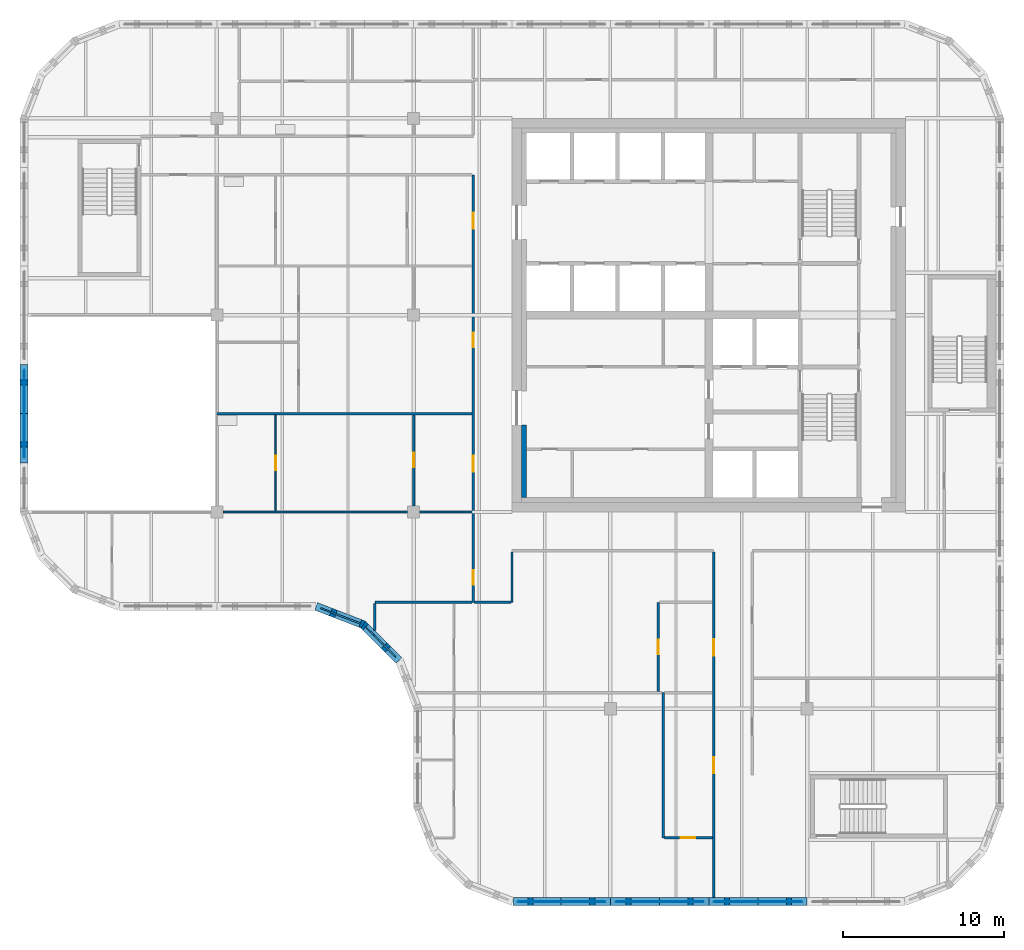
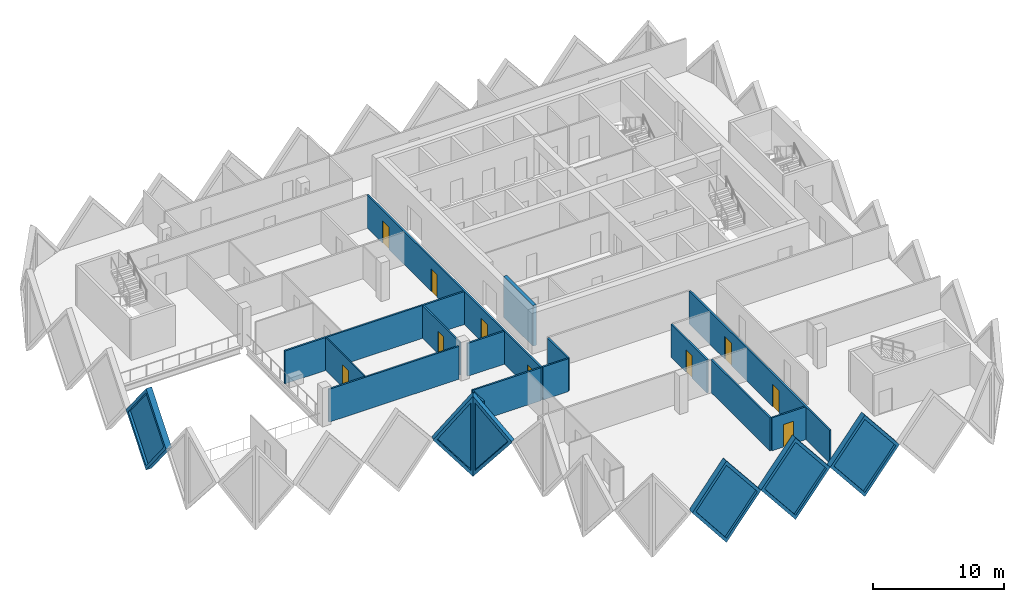
# One storey, part 4 of 12: 21 walls, 10 doors, 6 plates, 16 openings.
"""IFC4 building model written with IfcOpenShell, lengths in metres."""

from ifc_helpers import new_model, si_unit, direction, frame, frame_2d, origin, place, context, subcontext, project, spatial, polyline, rectangle, outline, extrude, faceted_brep, source, transform, mapped, material, layer, layer_set, type_object, element, fill, save


model = new_model("IFC4")

# Units and contexts
model_context = context("Model", 3, precision=1e-05, world=origin(), true_north=direction((0.0, 1.0)))
body_context = subcontext(model_context, "Body", "Model", "MODEL_VIEW")
ifc_project = project(units=[si_unit("LENGTHUNIT", "METRE"), si_unit("AREAUNIT", "SQUARE_METRE"), si_unit("VOLUMEUNIT", "CUBIC_METRE"), si_unit("PLANEANGLEUNIT", "RADIAN"), si_unit("MASSUNIT", "GRAM", prefix="KILO")], contexts=[model_context])

# Site, building, storey
site_placement = place(None, origin())
site = spatial("IfcSite", under=ifc_project, at=site_placement, CompositionType="ELEMENT")
building_placement = place(site_placement, origin())
building = spatial("IfcBuilding", under=site, at=building_placement, Name="Tessera Gate Towers", CompositionType="ELEMENT")
storey_placement = place(building_placement, frame((0.0, 0.0, 159.199951171875)))
storey = spatial("IfcBuildingStorey", under=building, at=storey_placement, Name="L39", CompositionType="ELEMENT", Elevation=159.199951171875)

# Wall
ifc_material_1 = material(Name="Concrete C50/60", Category="concrete")
ifc_layer_1 = layer(ifc_material_1, 0.300048828125)
ifc_layer_set_1 = layer_set([ifc_layer_1], Name="CORE WALL THICKENING 300")
wall_type_1 = type_object("IfcWallType", Name="CORE WALL THICKENING 300", PredefinedType="SOLIDWALL", material=ifc_layer_set_1)
wall_1_placement = place(storey_placement, frame((31.25, 25.300048828125, 0.0), z_axis=(0.0, 0.0, 1.0), x_axis=(0.0, 1.0, 0.0)))
element("IfcWall", 1, at=wall_1_placement, inside=storey, type_object=wall_type_1, Name="Core wall thickening W L39", PredefinedType="SOLIDWALL", context=body_context, shape_type="SweptSolid", body=[
    extrude(rectangle(XDim=4.5, YDim=0.300048828125, at=frame_2d((2.25, 0.0))), origin(), (0.0, 0.0, 1.0), 3.800048828125),
])

# Wall, openings, doors
ifc_material_2 = material(Name="Gypsum board on steel studs, mineral wool", Category="steel")
ifc_layer_2 = layer(ifc_material_2, 0.14990234375)
ifc_layer_set_2 = layer_set([ifc_layer_2], Name="CORRIDOR WALL 150")
wall_type_2 = type_object("IfcWallType", Name="CORRIDOR WALL 150", PredefinedType="PARTITIONING", material=ifc_layer_set_2)
wall_2_placement = place(storey_placement, frame((43.0, 0.5, 0.0), z_axis=(0.0, 0.0, 1.0), x_axis=(0.0, 1.0, 0.0)))
wall_2 = element("IfcWall", 2, at=wall_2_placement, inside=storey, type_object=wall_type_2, Name="T1-L39-PW-001", PredefinedType="PARTITIONING", context=body_context, shape_type="SweptSolid", body=[
    extrude(rectangle(XDim=21.424072265625, YDim=0.14990234375, at=frame_2d((10.7119140625, 0.0))), origin(), (0.0, 0.0, 1.0), 3.067138671875),
])
shared_shape_1 = source(origin(), body_context, "Body", "SweptSolid", [
    extrude(rectangle(XDim=1.0, YDim=2.10009765625, at=frame_2d((0.5, 1.050048828125))), frame((0.0, 0.0849609375, 0.0), z_axis=(0.0, -1.0, 0.0), x_axis=(1.0, 0.0, 0.0)), (0.0, 0.0, 1.0), 0.169921875),
])
opening_1_placement = place(wall_2_placement, frame((15.0009765625, 0.0, 0.0)))
opening_1 = element("IfcOpeningElement", 3, at=opening_1_placement, cuts=wall_2, Name="Opening D2100FD60-A14-02", PredefinedType="OPENING", context=body_context, shape_type="MappedRepresentation", body=[
    mapped(shared_shape_1, transform((0.0, 0.0, 0.0), scale=1.0)),
])
opening_2_placement = place(wall_2_placement, frame((7.699951171875, 0.0, 0.0)))
opening_2 = element("IfcOpeningElement", 4, at=opening_2_placement, cuts=wall_2, Name="Opening D2100FD60-A14-08", PredefinedType="OPENING", context=body_context, shape_type="MappedRepresentation", body=[
    mapped(shared_shape_1, transform((0.0, 0.0, 0.0), scale=1.0)),
])
ifc_material_3 = material(Name="Timber door leaf in steel frame", Category="steel")
door_type_1 = type_object("IfcDoorType", Name="TENANCY ENTRANCE DOOR 1000 FD60", OperationType="NOTDEFINED", PredefinedType="DOOR", material=ifc_material_3)
shared_shape_2 = source(origin(), body_context, "Body", "SweptSolid", [
    extrude(rectangle(XDim=1.0, YDim=2.10009765625, at=frame_2d((0.5, 1.050048828125))), frame((0.0, 0.02490234375, 0.0), z_axis=(0.0, -1.0, 0.0), x_axis=(1.0, 0.0, 0.0)), (0.0, 0.0, 1.0), 0.050048828125),
])
door_1_placement = place(opening_1_placement, origin())
door_1 = element("IfcDoor", 5, at=door_1_placement, inside=storey, type_object=door_type_1, Name="T1-L39-PD-010", OperationType="SINGLE_SWING_LEFT", OverallHeight=2.10009765625, OverallWidth=1.0, PredefinedType="DOOR", context=body_context, shape_type="MappedRepresentation", body=[
    mapped(shared_shape_2, transform((0.0, 0.0, 0.0), scale=1.0)),
])
fill(opening_1, door_1)
door_2_placement = place(opening_2_placement, origin())
door_2 = element("IfcDoor", 6, at=door_2_placement, inside=storey, type_object=door_type_1, Name="T1-L39-PD-023", OperationType="SINGLE_SWING_LEFT", OverallHeight=2.10009765625, OverallWidth=1.0, PredefinedType="DOOR", context=body_context, shape_type="MappedRepresentation", body=[
    mapped(shared_shape_2, transform((0.0, 0.0, 0.0), scale=1.0)),
])
fill(opening_2, door_2)

wall_3_placement = place(storey_placement, frame((28.10009765625, 18.800048828125, 0.0), z_axis=(0.0, 0.0, 1.0), x_axis=(0.0, 1.0, 0.0)))
wall_3 = element("IfcWall", 7, at=wall_3_placement, inside=storey, type_object=wall_type_2, Name="T1-L39-PW-017", PredefinedType="PARTITIONING", context=body_context, shape_type="SweptSolid", body=[
    extrude(rectangle(XDim=26.5, YDim=0.14990234375, at=frame_2d((13.25, 0.0))), origin(), (0.0, 0.0, 1.0), 3.067138671875),
])
shared_shape_3 = source(origin(), body_context, "Body", "SweptSolid", [
    extrude(rectangle(XDim=0.89990234375, YDim=2.10009765625, at=frame_2d((0.449951171875, 1.050048828125))), frame((0.0, 0.0849609375, 0.0), z_axis=(0.0, -1.0, 0.0), x_axis=(1.0, 0.0, 0.0)), (0.0, 0.0, 1.0), 0.169921875),
])
opening_3_placement = place(wall_3_placement, frame((1.10009765625, 0.0, 0.0)))
opening_3 = element("IfcOpeningElement", 8, at=opening_3_placement, cuts=wall_3, Name="Opening D890FD60-A14-01", PredefinedType="OPENING", context=body_context, shape_type="MappedRepresentation", body=[
    mapped(shared_shape_3, transform((0.0, 0.0, 0.0), scale=1.0)),
])
opening_4_placement = place(wall_3_placement, frame((23.15087890625, 0.0, 0.0)))
opening_4 = element("IfcOpeningElement", 9, at=opening_4_placement, cuts=wall_3, Name="Opening D2100FD60-A14-03", PredefinedType="OPENING", context=body_context, shape_type="MappedRepresentation", body=[
    mapped(shared_shape_1, transform((0.0, 0.0, 0.0), scale=1.0)),
])
opening_5_placement = place(wall_3_placement, frame((8.10009765625, 0.0, 0.0)))
opening_5 = element("IfcOpeningElement", 10, at=opening_5_placement, cuts=wall_3, Name="Opening D2100FD60-A14-06", PredefinedType="OPENING", context=body_context, shape_type="MappedRepresentation", body=[
    mapped(shared_shape_1, transform((0.0, 0.0, 0.0), scale=1.0)),
])
opening_6_placement = place(wall_3_placement, frame((15.800048828125, 0.0, 0.0)))
opening_6 = element("IfcOpeningElement", 11, at=opening_6_placement, cuts=wall_3, Name="Opening D890FD60-A14-03", PredefinedType="OPENING", context=body_context, shape_type="MappedRepresentation", body=[
    mapped(shared_shape_3, transform((0.0, 0.0, 0.0), scale=1.0)),
])
ifc_material_4 = material(Name="Timber door leaf in steel frame", Category="steel")
door_type_2 = type_object("IfcDoorType", Name="CORRIDOR DOOR 900 FD60", OperationType="NOTDEFINED", PredefinedType="DOOR", material=ifc_material_4)
shared_shape_4 = source(origin(), body_context, "Body", "SweptSolid", [
    extrude(rectangle(XDim=0.89990234375, YDim=2.10009765625, at=frame_2d((0.449951171875, 1.050048828125))), frame((0.0, 0.02490234375, 0.0), z_axis=(0.0, -1.0, 0.0), x_axis=(1.0, 0.0, 0.0)), (0.0, 0.0, 1.0), 0.050048828125),
])
door_3_placement = place(opening_3_placement, origin())
door_3 = element("IfcDoor", 12, at=door_3_placement, inside=storey, type_object=door_type_2, Name="T1-L39-PD-001", OperationType="SINGLE_SWING_LEFT", OverallHeight=2.10009765625, OverallWidth=0.89990234375, PredefinedType="DOOR", context=body_context, shape_type="MappedRepresentation", body=[
    mapped(shared_shape_4, transform((0.0, 0.0, 0.0), scale=1.0)),
])
fill(opening_3, door_3)
door_4_placement = place(opening_6_placement, origin())
door_4 = element("IfcDoor", 13, at=door_4_placement, inside=storey, type_object=door_type_2, Name="T1-L39-PD-024", OperationType="SINGLE_SWING_LEFT", OverallHeight=2.10009765625, OverallWidth=0.89990234375, PredefinedType="DOOR", context=body_context, shape_type="MappedRepresentation", body=[
    mapped(shared_shape_4, transform((0.0, 0.0, 0.0), scale=1.0)),
])
fill(opening_6, door_4)
door_5_placement = place(opening_4_placement, origin())
door_5 = element("IfcDoor", 14, at=door_5_placement, inside=storey, type_object=door_type_1, Name="T1-L39-PD-012", OperationType="SINGLE_SWING_LEFT", OverallHeight=2.10009765625, OverallWidth=1.0, PredefinedType="DOOR", context=body_context, shape_type="MappedRepresentation", body=[
    mapped(shared_shape_2, transform((0.0, 0.0, 0.0), scale=1.0)),
])
fill(opening_4, door_5)
door_6_placement = place(opening_5_placement, origin())
door_6 = element("IfcDoor", 15, at=door_6_placement, inside=storey, type_object=door_type_1, Name="T1-L39-PD-017", OperationType="SINGLE_SWING_LEFT", OverallHeight=2.10009765625, OverallWidth=1.0, PredefinedType="DOOR", context=body_context, shape_type="MappedRepresentation", body=[
    mapped(shared_shape_2, transform((0.0, 0.0, 0.0), scale=1.0)),
])
fill(opening_5, door_6)

# Walls
wall_4_placement = place(storey_placement, frame((28.176025390625, 18.800048828125, 0.0), z_axis=(0.0, 0.0, 1.0), x_axis=(1.0, 0.0, 0.0)))
element("IfcWall", 16, at=wall_4_placement, inside=storey, type_object=wall_type_2, Name="T1-L39-PW-018", PredefinedType="PARTITIONING", context=body_context, shape_type="SweptSolid", body=[
    extrude(rectangle(XDim=2.248046875, YDim=0.14990234375, at=frame_2d((1.1240234375, 0.0))), origin(), (0.0, 0.0, 1.0), 3.067138671875),
])
wall_5_placement = place(storey_placement, frame((30.5, 18.800048828125, 0.0), z_axis=(0.0, 0.0, 1.0), x_axis=(0.0, 1.0, 0.0)))
element("IfcWall", 17, at=wall_5_placement, inside=storey, type_object=wall_type_2, Name="T1-L39-PW-019", PredefinedType="PARTITIONING", context=body_context, shape_type="SweptSolid", body=[
    extrude(rectangle(XDim=3.1240234375, YDim=0.14990234375, at=frame_2d((1.56201171875, 0.0))), origin(), (0.0, 0.0, 1.0), 3.067138671875),
])

# Wall, opening, door
ifc_material_5 = material(Name="Gypsum board on steel studs", Category="steel")
ifc_layer_3 = layer(ifc_material_5, 0.10009765625)
ifc_layer_set_3 = layer_set([ifc_layer_3], Name="PARTITION 100")
wall_type_3 = type_object("IfcWallType", Name="PARTITION 100", PredefinedType="PARTITIONING", material=ifc_layer_set_3)
wall_6_placement = place(storey_placement, frame((15.85009765625, 24.47607421875, 0.0), z_axis=(0.0, 0.0, 1.0), x_axis=(0.0, 1.0, 0.0)))
wall_6 = element("IfcWall", 18, at=wall_6_placement, inside=storey, type_object=wall_type_3, Name="T1-L39-PW-028", PredefinedType="PARTITIONING", context=body_context, shape_type="SweptSolid", body=[
    extrude(rectangle(XDim=5.947998046875, YDim=0.10009765625, at=frame_2d((2.97412109375, 0.0))), origin(), (0.0, 0.0, 1.0), 3.067138671875),
])
shared_shape_5 = source(origin(), body_context, "Body", "SweptSolid", [
    extrude(rectangle(XDim=0.89990234375, YDim=2.10009765625, at=frame_2d((0.449951171875, 1.050048828125))), frame((0.0, 0.06005859375, 0.0), z_axis=(0.0, -1.0, 0.0), x_axis=(1.0, 0.0, 0.0)), (0.0, 0.0, 1.0), 0.1201171875),
])
opening_7_placement = place(wall_6_placement, frame((2.5, 0.0, 0.0)))
opening_7 = element("IfcOpeningElement", 19, at=opening_7_placement, cuts=wall_6, Name="Opening D190-A14-08", PredefinedType="OPENING", context=body_context, shape_type="MappedRepresentation", body=[
    mapped(shared_shape_5, transform((0.0, 0.0, 0.0), scale=1.0)),
])
ifc_material_6 = material(Name="Timber door leaf in steel frame", Category="steel")
door_type_3 = type_object("IfcDoorType", Name="INTERNAL DOOR 900 NOT RATED", OperationType="NOTDEFINED", PredefinedType="DOOR", material=ifc_material_6)
door_7_placement = place(opening_7_placement, origin())
door_7 = element("IfcDoor", 20, at=door_7_placement, inside=storey, type_object=door_type_3, Name="T1-L39-PD-013", OperationType="SINGLE_SWING_LEFT", OverallHeight=2.10009765625, OverallWidth=0.89990234375, PredefinedType="DOOR", context=body_context, shape_type="MappedRepresentation", body=[
    mapped(shared_shape_4, transform((0.0, 0.0, 0.0), scale=1.0)),
])
fill(opening_7, door_7)

# Wall
ifc_material_7 = material(Name="Gypsum board on steel studs, mineral wool", Category="steel")
ifc_layer_4 = layer(ifc_material_7, 0.14990234375)
ifc_layer_set_4 = layer_set([ifc_layer_4], Name="TENANCY WALL 150")
wall_type_4 = type_object("IfcWallType", Name="TENANCY WALL 150", PredefinedType="PARTITIONING", material=ifc_layer_set_4)
wall_7_placement = place(storey_placement, frame((39.875, 4.199951171875, 0.0), z_axis=(0.0, 0.0, 1.0), x_axis=(0.0, 1.0, 0.0)))
element("IfcWall", 21, at=wall_7_placement, inside=storey, type_object=wall_type_4, Name="T1-L39-PW-005", PredefinedType="PARTITIONING", context=body_context, shape_type="SweptSolid", body=[
    extrude(rectangle(XDim=9.0, YDim=0.14990234375, at=frame_2d((4.5, 0.0))), origin(), (0.0, 0.0, 1.0), 3.067138671875),
])

# Wall, opening, door
wall_8_placement = place(storey_placement, frame((42.924072265625, 4.199951171875, 0.0), z_axis=(0.0, 0.0, 1.0), x_axis=(-1.0, 0.0, 0.0)))
wall_8 = element("IfcWall", 22, at=wall_8_placement, inside=storey, type_object=wall_type_4, Name="T1-L39-PW-006", PredefinedType="PARTITIONING", context=body_context, shape_type="SweptSolid", body=[
    extrude(rectangle(XDim=2.97314453125, YDim=0.14990234375, at=frame_2d((1.486572265625, 0.0))), origin(), (0.0, 0.0, 1.0), 3.067138671875),
])
opening_8_placement = place(wall_8_placement, frame((1.072998046875, 0.0, 0.0)))
opening_8 = element("IfcOpeningElement", 23, at=opening_8_placement, cuts=wall_8, Name="Opening D190-A14-13", PredefinedType="OPENING", context=body_context, shape_type="MappedRepresentation", body=[
    mapped(shared_shape_3, transform((0.0, 0.0, 0.0), scale=1.0)),
])
door_8_placement = place(opening_8_placement, origin())
door_8 = element("IfcDoor", 24, at=door_8_placement, inside=storey, type_object=door_type_3, Name="T1-L39-PD-025", OperationType="SINGLE_SWING_RIGHT", OverallHeight=2.10009765625, OverallWidth=0.89990234375, PredefinedType="DOOR", context=body_context, shape_type="MappedRepresentation", body=[
    mapped(shared_shape_4, transform((0.0, 0.0, 0.0), scale=1.0)),
])
fill(opening_8, door_8)

wall_9_placement = place(storey_placement, frame((39.574951171875, 13.27587890625, 0.0), z_axis=(0.0, 0.0, 1.0), x_axis=(0.0, 1.0, 0.0)))
wall_9 = element("IfcWall", 25, at=wall_9_placement, inside=storey, type_object=wall_type_4, Name="T1-L39-PW-013", PredefinedType="PARTITIONING", context=body_context, shape_type="SweptSolid", body=[
    extrude(rectangle(XDim=5.524169921875, YDim=0.14990234375, at=frame_2d((2.76220703125, 0.0))), origin(), (0.0, 0.0, 1.0), 3.067138671875),
])
opening_9_placement = place(wall_9_placement, frame((2.300048828125, 0.0, 0.0)))
opening_9 = element("IfcOpeningElement", 26, at=opening_9_placement, cuts=wall_9, Name="Opening D190-A14-12", PredefinedType="OPENING", context=body_context, shape_type="MappedRepresentation", body=[
    mapped(shared_shape_3, transform((0.0, 0.0, 0.0), scale=1.0)),
])
door_9_placement = place(opening_9_placement, origin())
door_9 = element("IfcDoor", 27, at=door_9_placement, inside=storey, type_object=door_type_3, Name="T1-L39-PD-022", OperationType="SINGLE_SWING_LEFT", OverallHeight=2.10009765625, OverallWidth=0.89990234375, PredefinedType="DOOR", context=body_context, shape_type="MappedRepresentation", body=[
    mapped(shared_shape_4, transform((0.0, 0.0, 0.0), scale=1.0)),
])
fill(opening_9, door_9)

# Walls
wall_10_placement = place(storey_placement, frame((22.0, 17.054931640625, 0.0), z_axis=(0.0, 0.0, 1.0), x_axis=(0.0, 1.0, 0.0)))
element("IfcWall", 28, at=wall_10_placement, inside=storey, type_object=wall_type_4, Name="T1-L39-PW-015", PredefinedType="PARTITIONING", context=body_context, shape_type="SweptSolid", body=[
    extrude(rectangle(XDim=1.669189453125, YDim=0.14990234375, at=frame_2d((0.83447265625, 0.0))), origin(), (0.0, 0.0, 1.0), 3.067138671875),
])
wall_11_placement = place(storey_placement, frame((22.0, 18.800048828125, 0.0), z_axis=(0.0, 0.0, 1.0), x_axis=(1.0, 0.0, 0.0)))
element("IfcWall", 29, at=wall_11_placement, inside=storey, type_object=wall_type_4, Name="T1-L39-PW-016", PredefinedType="PARTITIONING", context=body_context, shape_type="SweptSolid", body=[
    extrude(rectangle(XDim=6.02392578125, YDim=0.14990234375, at=frame_2d((3.011962890625, 0.0))), origin(), (0.0, 0.0, 1.0), 3.067138671875),
])
wall_12_placement = place(storey_placement, frame((12.575927734375, 24.39990234375, 0.0), z_axis=(0.0, 0.0, 1.0), x_axis=(1.0, 0.0, 0.0)))
element("IfcWall", 30, at=wall_12_placement, inside=storey, type_object=wall_type_4, Name="T1-L39-PW-026", PredefinedType="PARTITIONING", context=body_context, shape_type="SweptSolid", body=[
    extrude(rectangle(XDim=11.447998046875, YDim=0.14990234375, at=frame_2d((5.72412109375, 0.0))), origin(), (0.0, 0.0, 1.0), 3.067138671875),
])
wall_13_placement = place(storey_placement, frame((24.77587890625, 24.39990234375, 0.0), z_axis=(0.0, 0.0, 1.0), x_axis=(1.0, 0.0, 0.0)))
element("IfcWall", 31, at=wall_13_placement, inside=storey, type_object=wall_type_4, Name="T1-L39-PW-027", PredefinedType="PARTITIONING", context=body_context, shape_type="SweptSolid", body=[
    extrude(rectangle(XDim=3.248046875, YDim=0.14990234375, at=frame_2d((1.6240234375, 0.0))), origin(), (0.0, 0.0, 1.0), 3.067138671875),
])

# Wall, opening, door
wall_14_placement = place(storey_placement, frame((24.39990234375, 24.77587890625, 0.0), z_axis=(0.0, 0.0, 1.0), x_axis=(0.0, 1.0, 0.0)))
wall_14 = element("IfcWall", 32, at=wall_14_placement, inside=storey, type_object=wall_type_4, Name="T1-L39-PW-029", PredefinedType="PARTITIONING", context=body_context, shape_type="SweptSolid", body=[
    extrude(rectangle(XDim=5.648193359375, YDim=0.14990234375, at=frame_2d((2.82421875, 0.0))), origin(), (0.0, 0.0, 1.0), 3.067138671875),
])
opening_10_placement = place(wall_14_placement, frame((2.39990234375, 0.0, 0.0)))
opening_10 = element("IfcOpeningElement", 33, at=opening_10_placement, cuts=wall_14, Name="Opening D190-A14-07", PredefinedType="OPENING", context=body_context, shape_type="MappedRepresentation", body=[
    mapped(shared_shape_3, transform((0.0, 0.0, 0.0), scale=1.0)),
])
door_10_placement = place(opening_10_placement, origin())
door_10 = element("IfcDoor", 34, at=door_10_placement, inside=storey, type_object=door_type_3, Name="T1-L39-PD-011", OperationType="SINGLE_SWING_LEFT", OverallHeight=2.10009765625, OverallWidth=0.89990234375, PredefinedType="DOOR", context=body_context, shape_type="MappedRepresentation", body=[
    mapped(shared_shape_4, transform((0.0, 0.0, 0.0), scale=1.0)),
])
fill(opening_10, door_10)

# Wall
wall_15_placement = place(storey_placement, frame((12.199951171875, 30.5, 0.0), z_axis=(0.0, 0.0, 1.0), x_axis=(1.0, 0.0, 0.0)))
element("IfcWall", 35, at=wall_15_placement, inside=storey, type_object=wall_type_4, Name="T1-L39-PW-030", PredefinedType="PARTITIONING", context=body_context, shape_type="SweptSolid", body=[
    extrude(rectangle(XDim=15.823974609375, YDim=0.14990234375, at=frame_2d((7.912109375, 0.0))), origin(), (0.0, 0.0, 1.0), 3.067138671875),
])

# Wall, opening, plate
ifc_material_8 = material(Name="Precast concrete C60/75 white", Category="concrete")
ifc_layer_5 = layer(ifc_material_8, 0.5)
ifc_layer_set_5 = layer_set([ifc_layer_5], Name="TS1 tessera")
wall_type_5 = type_object("IfcWallType", Name="TS1 tessera", PredefinedType="SOLIDWALL", material=ifc_layer_set_5)
shared_shape_6 = source(origin(), body_context, "Body", "Brep", [
    faceted_brep([(3.00341796875, -0.25, 0.0), (6.053466796875, -0.25, 3.800048828125), (3.00341796875, -0.25, 7.60009765625), (0.0, -0.25, 3.800048828125), (0.046630859375, 0.25, 3.85888671875), (3.00341796875, 0.25, 7.60009765625), (6.053466796875, 0.25, 3.800048828125), (3.00341796875, 0.25, 0.0), (0.046630859375, 0.25, 3.7412109375), (0.0, 0.0, 3.800048828125)], [[[0, 1, 2, 3]], [[4, 5, 6, 7, 8]], [[7, 6, 1, 0]], [[6, 5, 2, 1]], [[5, 4, 9, 3, 2]], [[8, 7, 0, 3, 9]], [[8, 9, 4]]]),
])
wall_16_placement = place(storey_placement, frame((30.546630859375, 0.25, -3.800048828125), z_axis=(0.0, 0.0, 1.0), x_axis=(1.0, 0.0, 0.0)))
wall_16 = element("IfcWall", 36, at=wall_16_placement, inside=storey, type_object=wall_type_5, Name="Precast tessera T1 TS1-0644", PredefinedType="SOLIDWALL", context=body_context, shape_type="MappedRepresentation", body=[
    mapped(shared_shape_6, transform((0.0, 0.0, 0.0), scale=1.0)),
])
shared_shape_7 = source(origin(), body_context, "Body", "SweptSolid", [
    extrude(outline(polyline([(3.0048828125, 0.4013671875), (5.73291015625, 3.800048828125), (3.0048828125, 7.19873046875), (0.318603515625, 3.800048828125), (3.0048828125, 0.4013671875)])), frame((0.0, 0.260009765625, 0.0), z_axis=(0.0, -1.0, 0.0), x_axis=(1.0, 0.0, 0.0)), (0.0, 0.0, 1.0), 0.52001953125),
])
opening_11_placement = place(wall_16_placement, origin())
opening_11 = element("IfcOpeningElement", 37, at=opening_11_placement, cuts=wall_16, Name="Opening T1-PL2-1316", PredefinedType="OPENING", context=body_context, shape_type="MappedRepresentation", body=[
    mapped(shared_shape_7, transform((0.0, 0.0, 0.0), scale=1.0)),
])
ifc_material_9 = material(Name="Low-e laminated glass", Category="glass")
ifc_layer_6 = layer(ifc_material_9, 0.06005859375)
ifc_layer_set_6 = layer_set([ifc_layer_6], Name="PL2 rhombic pane")
plate_type = type_object("IfcPlateType", Name="PL2 rhombic pane", PredefinedType="SHEET", material=ifc_layer_set_6)
shared_shape_8 = source(origin(), body_context, "Body", "SweptSolid", [
    extrude(outline(polyline([(3.0048828125, 0.4013671875), (5.73291015625, 3.800048828125), (3.0048828125, 7.19873046875), (0.318603515625, 3.800048828125), (3.0048828125, 0.4013671875)])), frame((0.0, 0.030029296875, 0.0), z_axis=(0.0, -1.0, 0.0), x_axis=(1.0, 0.0, 0.0)), (0.0, 0.0, 1.0), 0.06005859375),
])
plate_1_placement = place(opening_11_placement, origin())
plate_1 = element("IfcPlate", 38, at=plate_1_placement, inside=storey, type_object=plate_type, Name="Glass pane T1 PL2-1316", PredefinedType="SHEET", context=body_context, shape_type="MappedRepresentation", body=[
    mapped(shared_shape_8, transform((0.0, 0.0, 0.0), scale=1.0)),
])
fill(opening_11, plate_1)

shared_shape_9 = source(origin(), body_context, "Body", "Brep", [
    faceted_brep([(3.050048828125, -0.25, 0.0), (6.099853515625, -0.25, 3.7998046875), (6.099853515625, -0.25, 3.80029296875), (3.050048828125, -0.25, 7.60009765625), (0.0, -0.25, 3.800048828125), (0.0, 0.25, 3.800048828125), (3.050048828125, 0.25, 7.60009765625), (6.099853515625, 0.25, 3.80029296875), (6.099853515625, 0.25, 3.7998046875), (3.050048828125, 0.25, 0.0)], [[[0, 1, 2, 3, 4]], [[5, 6, 7, 8, 9]], [[9, 8, 1, 0]], [[7, 6, 3, 2]], [[6, 5, 4, 3]], [[5, 9, 0, 4]], [[1, 8, 7, 2]]]),
])
wall_17_placement = place(storey_placement, frame((36.60009765625, 0.25, -3.800048828125), z_axis=(0.0, 0.0, 1.0), x_axis=(1.0, 0.0, 0.0)))
wall_17 = element("IfcWall", 39, at=wall_17_placement, inside=storey, type_object=wall_type_5, Name="Precast tessera T1 TS1-0645", PredefinedType="SOLIDWALL", context=body_context, shape_type="MappedRepresentation", body=[
    mapped(shared_shape_9, transform((0.0, 0.0, 0.0), scale=1.0)),
])
shared_shape_10 = source(origin(), body_context, "Body", "SweptSolid", [
    extrude(outline(polyline([(3.050048828125, 0.3994140625), (5.779541015625, 3.800048828125), (3.050048828125, 7.20068359375), (0.320556640625, 3.800048828125), (3.050048828125, 0.3994140625)])), frame((0.0, 0.260009765625, 0.0), z_axis=(0.0, -1.0, 0.0), x_axis=(1.0, 0.0, 0.0)), (0.0, 0.0, 1.0), 0.52001953125),
])
opening_12_placement = place(wall_17_placement, origin())
opening_12 = element("IfcOpeningElement", 40, at=opening_12_placement, cuts=wall_17, Name="Opening T1-PL2-1317", PredefinedType="OPENING", context=body_context, shape_type="MappedRepresentation", body=[
    mapped(shared_shape_10, transform((0.0, 0.0, 0.0), scale=1.0)),
])
shared_shape_11 = source(origin(), body_context, "Body", "SweptSolid", [
    extrude(outline(polyline([(3.050048828125, 0.3994140625), (5.779541015625, 3.800048828125), (3.050048828125, 7.20068359375), (0.320556640625, 3.800048828125), (3.050048828125, 0.3994140625)])), frame((0.0, 0.030029296875, 0.0), z_axis=(0.0, -1.0, 0.0), x_axis=(1.0, 0.0, 0.0)), (0.0, 0.0, 1.0), 0.06005859375),
])
plate_2_placement = place(opening_12_placement, origin())
plate_2 = element("IfcPlate", 41, at=plate_2_placement, inside=storey, type_object=plate_type, Name="Glass pane T1 PL2-1317", PredefinedType="SHEET", context=body_context, shape_type="MappedRepresentation", body=[
    mapped(shared_shape_11, transform((0.0, 0.0, 0.0), scale=1.0)),
])
fill(opening_12, plate_2)

shared_shape_12 = source(origin(), body_context, "Body", "SweptSolid", [
    extrude(outline(polyline([(3.050048828125, 0.0), (6.10009765625, 3.800048828125), (3.050048828125, 7.60009765625), (0.0, 3.800048828125), (3.050048828125, 0.0)])), frame((0.0, 0.25, 0.0), z_axis=(0.0, -1.0, 0.0), x_axis=(1.0, 0.0, 0.0)), (0.0, 0.0, 1.0), 0.5),
])
wall_18_placement = place(storey_placement, frame((42.699951171875, 0.25, -3.800048828125), z_axis=(0.0, 0.0, 1.0), x_axis=(1.0, 0.0, 0.0)))
wall_18 = element("IfcWall", 42, at=wall_18_placement, inside=storey, type_object=wall_type_5, Name="Precast tessera T1 TS1-0646", PredefinedType="SOLIDWALL", context=body_context, shape_type="MappedRepresentation", body=[
    mapped(shared_shape_12, transform((0.0, 0.0, 0.0), scale=1.0)),
])
opening_13_placement = place(wall_18_placement, origin())
opening_13 = element("IfcOpeningElement", 43, at=opening_13_placement, cuts=wall_18, Name="Opening T1-PL2-1318", PredefinedType="OPENING", context=body_context, shape_type="MappedRepresentation", body=[
    mapped(shared_shape_10, transform((0.0, 0.0, 0.0), scale=1.0)),
])
plate_3_placement = place(opening_13_placement, origin())
plate_3 = element("IfcPlate", 44, at=plate_3_placement, inside=storey, type_object=plate_type, Name="Glass pane T1 PL2-1318", PredefinedType="SHEET", context=body_context, shape_type="MappedRepresentation", body=[
    mapped(shared_shape_11, transform((0.0, 0.0, 0.0), scale=1.0)),
])
fill(opening_13, plate_3)

wall_19_placement = place(storey_placement, frame((0.25, 33.550048828125, -3.800048828125), z_axis=(0.0, 0.0, 1.0), x_axis=(0.0, -1.0, 0.0)))
wall_19 = element("IfcWall", 45, at=wall_19_placement, inside=storey, type_object=wall_type_5, Name="Precast tessera T1 TS1-0664", PredefinedType="SOLIDWALL", context=body_context, shape_type="MappedRepresentation", body=[
    mapped(shared_shape_12, transform((0.0, 0.0, 0.0), scale=1.0)),
])
opening_14_placement = place(wall_19_placement, origin())
opening_14 = element("IfcOpeningElement", 46, at=opening_14_placement, cuts=wall_19, Name="Opening T1-PL2-1348", PredefinedType="OPENING", context=body_context, shape_type="MappedRepresentation", body=[
    mapped(shared_shape_10, transform((0.0, 0.0, 0.0), scale=1.0)),
])
plate_4_placement = place(opening_14_placement, origin())
plate_4 = element("IfcPlate", 47, at=plate_4_placement, inside=storey, type_object=plate_type, Name="Glass pane T1 PL2-1348", PredefinedType="SHEET", context=body_context, shape_type="MappedRepresentation", body=[
    mapped(shared_shape_11, transform((0.0, 0.0, 0.0), scale=1.0)),
])
fill(opening_14, plate_4)

ifc_material_10 = material(Name="Precast concrete C60/75 white", Category="concrete")
ifc_layer_7 = layer(ifc_material_10, 0.5)
ifc_layer_set_7 = layer_set([ifc_layer_7], Name="TS3 corner tessera")
wall_type_6 = type_object("IfcWallType", Name="TS3 corner tessera", PredefinedType="SOLIDWALL", material=ifc_layer_set_7)
shared_shape_13 = source(origin(), body_context, "Body", "Brep", [
    faceted_brep([(3.096435546875, -0.25, 7.536376953125), (0.046630859375, -0.25, 3.856201171875), (0.046630859375, -0.25, 3.743896484375), (3.096435546875, -0.25, 0.063720703125), (0.0, 0.25, 3.800048828125), (3.1494140625, 0.25, 7.60009765625), (3.202392578125, 0.25, 7.536376953125), (3.202392578125, 0.25, 0.063720703125), (3.1494140625, 0.25, 0.0), (3.1494140625, -0.000244140625, 0.0), (3.1494140625, -0.000244140625, 7.60009765625), (0.0, 0.0, 3.800048828125)], [[[0, 1, 2, 3]], [[4, 5, 6, 7, 8]], [[8, 7, 9]], [[6, 5, 10]], [[5, 4, 11, 1, 0, 10]], [[4, 8, 9, 3, 2, 11]], [[11, 2, 1]], [[3, 9, 7, 6, 10, 0]]]),
])
wall_20_placement = place(storey_placement, frame((18.346435546875, 18.550048828125, -3.800048828125), z_axis=(0.0, 0.0, 1.0), x_axis=(0.932985567668, -0.359913782069, 0.0)))
wall_20 = element("IfcWall", 48, at=wall_20_placement, inside=storey, type_object=wall_type_6, Name="Precast corner tessera T1 TS3-0905", PredefinedType="SOLIDWALL", context=body_context, shape_type="MappedRepresentation", body=[
    mapped(shared_shape_13, transform((0.0, 0.0, 0.0), scale=1.0)),
])
shared_shape_14 = source(origin(), body_context, "Body", "SweptSolid", [
    extrude(outline(polyline([(2.949462890625, 6.967041015625), (0.32470703125, 3.800048828125), (2.949462890625, 0.63330078125), (2.949462890625, 6.967041015625)])), frame((0.0, 0.260009765625, 0.0), z_axis=(0.0, -1.0, 0.0), x_axis=(1.0, 0.0, 0.0)), (0.0, 0.0, 1.0), 0.52001953125),
])
opening_15_placement = place(wall_20_placement, origin())
opening_15 = element("IfcOpeningElement", 49, at=opening_15_placement, cuts=wall_20, Name="Opening T1-PL2-1355", PredefinedType="OPENING", context=body_context, shape_type="MappedRepresentation", body=[
    mapped(shared_shape_14, transform((0.0, 0.0, 0.0), scale=1.0)),
])
shared_shape_15 = source(origin(), body_context, "Body", "SweptSolid", [
    extrude(outline(polyline([(2.949462890625, 6.967041015625), (0.32470703125, 3.800048828125), (2.949462890625, 0.63330078125), (2.949462890625, 6.967041015625)])), frame((0.0, 0.030029296875, 0.0), z_axis=(0.0, -1.0, 0.0), x_axis=(1.0, 0.0, 0.0)), (0.0, 0.0, 1.0), 0.06005859375),
])
plate_5_placement = place(opening_15_placement, origin())
plate_5 = element("IfcPlate", 50, at=plate_5_placement, inside=storey, type_object=plate_type, Name="Glass pane T1 PL2-1355", PredefinedType="SHEET", context=body_context, shape_type="MappedRepresentation", body=[
    mapped(shared_shape_15, transform((0.0, 0.0, 0.0), scale=1.0)),
])
fill(opening_15, plate_5)

shared_shape_16 = source(origin(), body_context, "Body", "Brep", [
    faceted_brep([(0.10595703125, -0.25, 0.063720703125), (3.156005859375, -0.25, 3.736328125), (3.156005859375, -0.25, 3.86376953125), (0.10595703125, -0.25, 7.536376953125), (0.0, 0.25, 7.5361328125), (0.052978515625, 0.25, 7.60009765625), (3.208740234375, 0.25, 3.800048828125), (0.052978515625, 0.25, 0.0), (0.0, 0.25, 0.06396484375), (3.208740234375, -0.00048828125, 3.800048828125), (0.052978515625, 0.0, 0.0), (0.052978515625, 0.0, 7.60009765625)], [[[0, 1, 2, 3]], [[4, 5, 6, 7, 8]], [[7, 6, 9, 1, 0, 10]], [[6, 5, 11, 3, 2, 9]], [[5, 4, 11]], [[8, 7, 10]], [[8, 10, 0, 3, 11, 4]], [[1, 9, 2]]]),
])
wall_21_placement = place(storey_placement, frame((21.24755859375, 17.453857421875, -3.800048828125), z_axis=(0.0, 0.0, 1.0), x_axis=(0.707106781187, -0.707106781187, 0.0)))
wall_21 = element("IfcWall", 51, at=wall_21_placement, inside=storey, type_object=wall_type_6, Name="Precast corner tessera T1 TS3-0906", PredefinedType="SOLIDWALL", context=body_context, shape_type="MappedRepresentation", body=[
    mapped(shared_shape_16, transform((0.0, 0.0, 0.0), scale=1.0)),
])
shared_shape_17 = source(origin(), body_context, "Body", "SweptSolid", [
    extrude(outline(polyline([(0.2529296875, 0.63232421875), (2.8837890625, 3.800048828125), (0.2529296875, 6.968017578125), (0.2529296875, 0.63232421875)])), frame((0.0, 0.260009765625, 0.0), z_axis=(0.0, -1.0, 0.0), x_axis=(1.0, 0.0, 0.0)), (0.0, 0.0, 1.0), 0.52001953125),
])
opening_16_placement = place(wall_21_placement, origin())
opening_16 = element("IfcOpeningElement", 52, at=opening_16_placement, cuts=wall_21, Name="Opening T1-PL2-1356", PredefinedType="OPENING", context=body_context, shape_type="MappedRepresentation", body=[
    mapped(shared_shape_17, transform((0.0, 0.0, 0.0), scale=1.0)),
])
shared_shape_18 = source(origin(), body_context, "Body", "SweptSolid", [
    extrude(outline(polyline([(0.2529296875, 0.63232421875), (2.8837890625, 3.800048828125), (0.2529296875, 6.968017578125), (0.2529296875, 0.63232421875)])), frame((0.0, 0.030029296875, 0.0), z_axis=(0.0, -1.0, 0.0), x_axis=(1.0, 0.0, 0.0)), (0.0, 0.0, 1.0), 0.06005859375),
])
plate_6_placement = place(opening_16_placement, origin())
plate_6 = element("IfcPlate", 53, at=plate_6_placement, inside=storey, type_object=plate_type, Name="Glass pane T1 PL2-1356", PredefinedType="SHEET", context=body_context, shape_type="MappedRepresentation", body=[
    mapped(shared_shape_18, transform((0.0, 0.0, 0.0), scale=1.0)),
])
fill(opening_16, plate_6)

save(model, "model.ifc")
